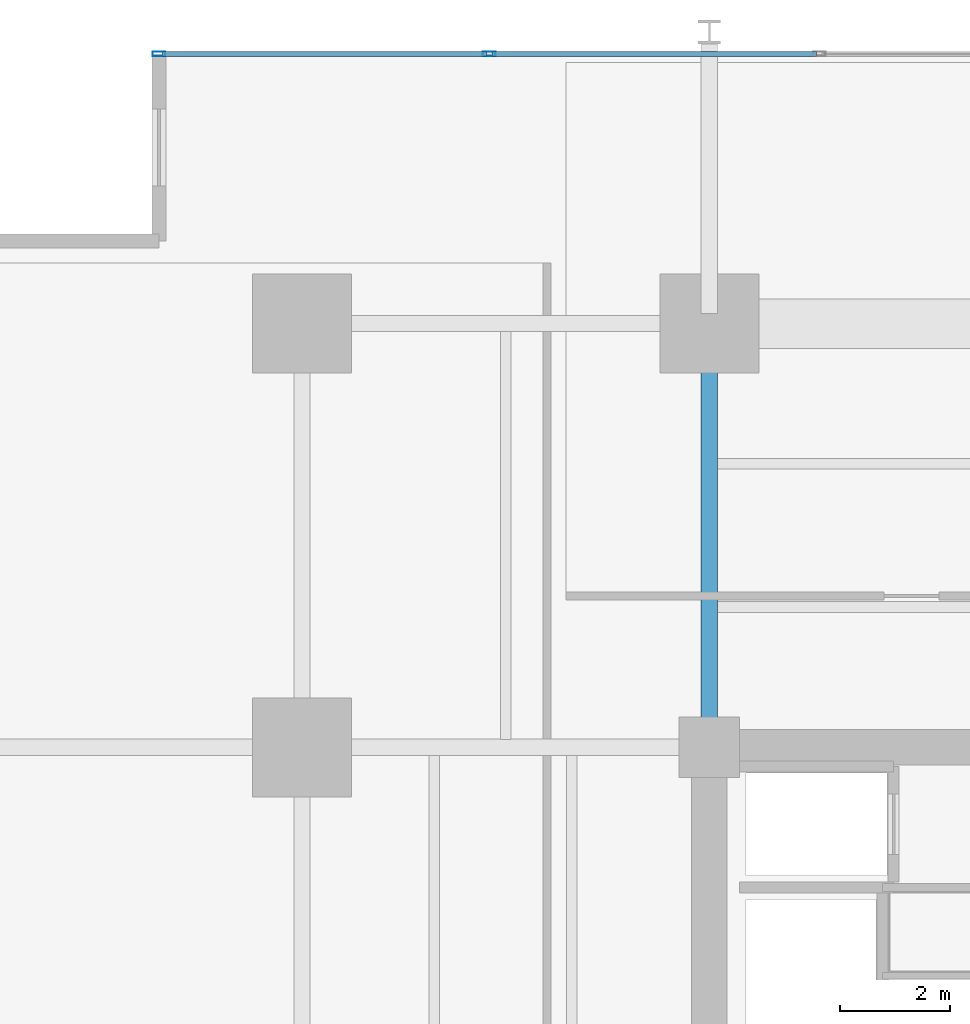
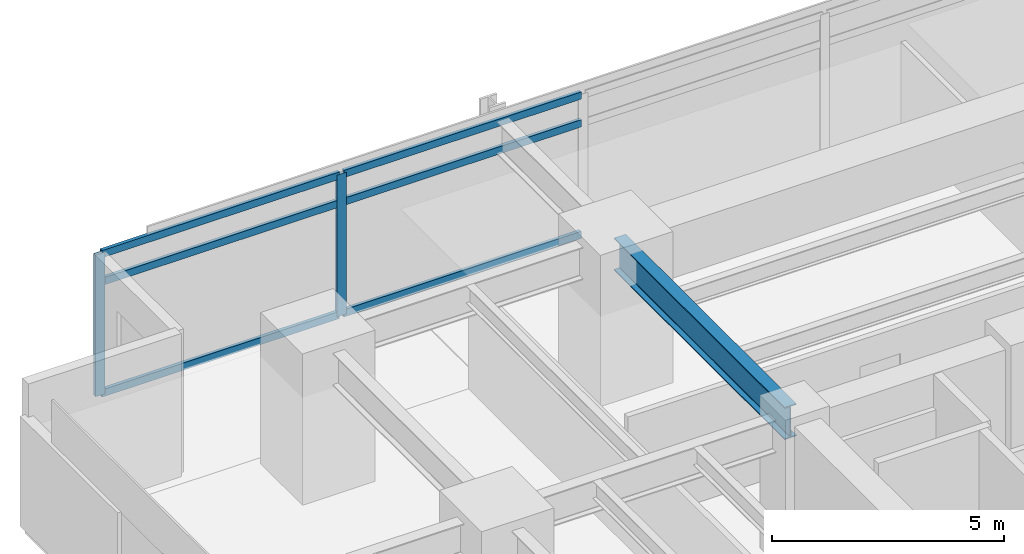
# One storey, part 8 of 21: 8 members, 1 beam, 1 element without a shape of its own.
"""IFC4 building model written with IfcOpenShell, lengths in metres."""

from ifc_helpers import new_model, si_unit, direction, frame, origin, origin_2d, place, context, subcontext, project, spatial, hollow_rectangle, i_section, extrude, material, material_profile, profile_set, type_object, element, aggregate, save


model = new_model("IFC4")

# Units and contexts
model_context = context("Model", 3, precision=1e-05, world=origin(), true_north=direction((0.0, 1.0)))
body_context = subcontext(model_context, "Body", "Model", "MODEL_VIEW")
ifc_project = project(units=[si_unit("LENGTHUNIT", "METRE"), si_unit("AREAUNIT", "SQUARE_METRE"), si_unit("VOLUMEUNIT", "CUBIC_METRE"), si_unit("PLANEANGLEUNIT", "RADIAN"), si_unit("MASSUNIT", "GRAM", prefix="KILO")], contexts=[model_context])

# Site, building, storey
site_placement = place(None, origin())
site = spatial("IfcSite", under=ifc_project, at=site_placement, CompositionType="ELEMENT")
building_placement = place(site_placement, origin())
building = spatial("IfcBuilding", under=site, at=building_placement, Name="Kovane Verandah Tower", CompositionType="ELEMENT")
storey_placement = place(building_placement, frame((0.0, 0.0, 27.60009765625)))
storey = spatial("IfcBuildingStorey", under=building, at=storey_placement, Name="L05", CompositionType="ELEMENT", Elevation=27.60009765625)

# Beam
ifc_material_1 = material(Name="Steel S355", Category="steel")
ifc_material_profile_1 = material_profile(ifc_material_1, i_section(OverallWidth=0.293701171875, OverallDepth=0.850830078125, WebThickness=0.01611328125, FlangeThickness=0.02685546875, FilletRadius=0.017822265625, at=origin_2d()), Name="UB838x292x226")
ifc_profile_set_1 = profile_set([ifc_material_profile_1], Name="Steel S355")
beam_type = type_object("IfcBeamType", Name="BM-UB838x226", PredefinedType="BEAM", material=ifc_profile_set_1)
beam_placement = place(storey_placement, frame((29.0, 36.679931640625, 3.33447265625), z_axis=(0.0, 1.0, 0.0), x_axis=(-1.0, 0.0, 0.0)))
element("IfcBeam", 1, at=beam_placement, inside=storey, type_object=beam_type, Name="L05 Primary Tower Girder G-N1", PredefinedType="BEAM", context=body_context, shape_type="SweptSolid", body=[
    extrude(i_section(OverallWidth=0.293701171875, OverallDepth=0.850830078125, WebThickness=0.01611328125, FlangeThickness=0.02685546875, FilletRadius=0.017822265625, at=origin_2d()), origin(), (0.0, 0.0, 1.0), 7.340087890625),
])

# Curtain wall, members
ifc_material_2 = material(Name="Champagne Anodised Aluminium Frame with Low-E Clear Laminated Glass", Category="aluminium")
curtain_wall_type = type_object("IfcCurtainWallType", Name="CW-SYS-02-LOW", PredefinedType="NOTDEFINED", material=ifc_material_2)
curtain_wall_placement = place(storey_placement, origin())
curtain_wall = element("IfcCurtainWall", 2, at=curtain_wall_placement, inside=storey, type_object=curtain_wall_type, Name="L05 N Unitised Curtain Wall", PredefinedType="NOTDEFINED")
ifc_material_3 = material(Name="Champagne Anodised Aluminium 6063-T6", Category="aluminium")
ifc_material_profile_2 = material_profile(ifc_material_3, hollow_rectangle(XDim=0.0849609375, YDim=0.22998046875, WallThickness=0.00390625, at=origin_2d()), Name="AL85x230x4")
ifc_profile_set_2 = profile_set([ifc_material_profile_2], Name="Champagne Anodised Aluminium 6063-T6")
member_type_1 = type_object("IfcMemberType", Name="CW-MUL-85x230", PredefinedType="MULLION", material=ifc_profile_set_2)
member_1_placement = place(storey_placement, frame((25.0, 49.10009765625, 0.02001953125), z_axis=(0.0, 0.0, 1.0), x_axis=(0.0, 1.0, 0.0)))
member_1 = element("IfcMember", 3, at=member_1_placement, type_object=member_type_1, Name="L05 N Unitised Curtain Wall Mullion 7", PredefinedType="MULLION", context=body_context, shape_type="SweptSolid", body=[
    extrude(hollow_rectangle(XDim=0.0849609375, YDim=0.22998046875, WallThickness=0.00390625, at=origin_2d()), origin(), (0.0, 0.0, 1.0), 3.719970703125),
])
member_2_placement = place(storey_placement, frame((19.0, 49.10009765625, 0.02001953125), z_axis=(0.0, 0.0, 1.0), x_axis=(0.0, 1.0, 0.0)))
member_2 = element("IfcMember", 4, at=member_2_placement, type_object=member_type_1, Name="L05 N Unitised Curtain Wall Mullion 8", PredefinedType="MULLION", context=body_context, shape_type="SweptSolid", body=[
    extrude(hollow_rectangle(XDim=0.0849609375, YDim=0.22998046875, WallThickness=0.00390625, at=origin_2d()), origin(), (0.0, 0.0, 1.0), 3.719970703125),
])
ifc_material_profile_3 = material_profile(ifc_material_3, hollow_rectangle(XDim=0.0849609375, YDim=0.18994140625, WallThickness=0.00390625, at=origin_2d()), Name="AL85x190x4")
ifc_profile_set_3 = profile_set([ifc_material_profile_3], Name="Champagne Anodised Aluminium 6063-T6")
member_type_2 = type_object("IfcMemberType", Name="CW-TRN-85x190", PredefinedType="USERDEFINED", material=ifc_profile_set_3)
member_3_placement = place(storey_placement, frame((30.949951171875, 49.10009765625, 0.0498046875), z_axis=(-1.0, 0.0, 0.0), x_axis=(0.0, -1.0, 0.0)))
member_3 = element("IfcMember", 5, at=member_3_placement, type_object=member_type_2, Name="L05 N Unitised Curtain Wall Transom TB Bay 6", ObjectType="TRANSOM", PredefinedType="USERDEFINED", context=body_context, shape_type="SweptSolid", body=[
    extrude(hollow_rectangle(XDim=0.0849609375, YDim=0.18994140625, WallThickness=0.00390625, at=origin_2d()), origin(), (0.0, 0.0, 1.0), 5.89990234375),
])
member_4_placement = place(storey_placement, frame((30.949951171875, 49.10009765625, 2.97998046875), z_axis=(-1.0, 0.0, 0.0), x_axis=(0.0, -1.0, 0.0)))
member_4 = element("IfcMember", 6, at=member_4_placement, type_object=member_type_2, Name="L05 N Unitised Curtain Wall Transom TM Bay 6", ObjectType="TRANSOM", PredefinedType="USERDEFINED", context=body_context, shape_type="SweptSolid", body=[
    extrude(hollow_rectangle(XDim=0.0849609375, YDim=0.18994140625, WallThickness=0.00390625, at=origin_2d()), origin(), (0.0, 0.0, 1.0), 5.89990234375),
])
member_5_placement = place(storey_placement, frame((30.949951171875, 49.10009765625, 3.7099609375), z_axis=(-1.0, 0.0, 0.0), x_axis=(0.0, -1.0, 0.0)))
member_5 = element("IfcMember", 7, at=member_5_placement, type_object=member_type_2, Name="L05 N Unitised Curtain Wall Transom TT Bay 6", ObjectType="TRANSOM", PredefinedType="USERDEFINED", context=body_context, shape_type="SweptSolid", body=[
    extrude(hollow_rectangle(XDim=0.0849609375, YDim=0.18994140625, WallThickness=0.00390625, at=origin_2d()), origin(), (0.0, 0.0, 1.0), 5.89990234375),
])
member_6_placement = place(storey_placement, frame((24.949951171875, 49.10009765625, 0.0498046875), z_axis=(-1.0, 0.0, 0.0), x_axis=(0.0, -1.0, 0.0)))
member_6 = element("IfcMember", 8, at=member_6_placement, type_object=member_type_2, Name="L05 N Unitised Curtain Wall Transom TB Bay 7", ObjectType="TRANSOM", PredefinedType="USERDEFINED", context=body_context, shape_type="SweptSolid", body=[
    extrude(hollow_rectangle(XDim=0.0849609375, YDim=0.18994140625, WallThickness=0.00390625, at=origin_2d()), origin(), (0.0, 0.0, 1.0), 5.89990234375),
])
member_7_placement = place(storey_placement, frame((24.949951171875, 49.10009765625, 2.97998046875), z_axis=(-1.0, 0.0, 0.0), x_axis=(0.0, -1.0, 0.0)))
member_7 = element("IfcMember", 9, at=member_7_placement, type_object=member_type_2, Name="L05 N Unitised Curtain Wall Transom TM Bay 7", ObjectType="TRANSOM", PredefinedType="USERDEFINED", context=body_context, shape_type="SweptSolid", body=[
    extrude(hollow_rectangle(XDim=0.0849609375, YDim=0.18994140625, WallThickness=0.00390625, at=origin_2d()), origin(), (0.0, 0.0, 1.0), 5.89990234375),
])
member_8_placement = place(storey_placement, frame((24.949951171875, 49.10009765625, 3.7099609375), z_axis=(-1.0, 0.0, 0.0), x_axis=(0.0, -1.0, 0.0)))
member_8 = element("IfcMember", 10, at=member_8_placement, type_object=member_type_2, Name="L05 N Unitised Curtain Wall Transom TT Bay 7", ObjectType="TRANSOM", PredefinedType="USERDEFINED", context=body_context, shape_type="SweptSolid", body=[
    extrude(hollow_rectangle(XDim=0.0849609375, YDim=0.18994140625, WallThickness=0.00390625, at=origin_2d()), origin(), (0.0, 0.0, 1.0), 5.89990234375),
])
aggregate(curtain_wall, [member_1, member_2, member_3, member_4, member_5, member_6, member_7, member_8])

save(model, "model.ifc")
